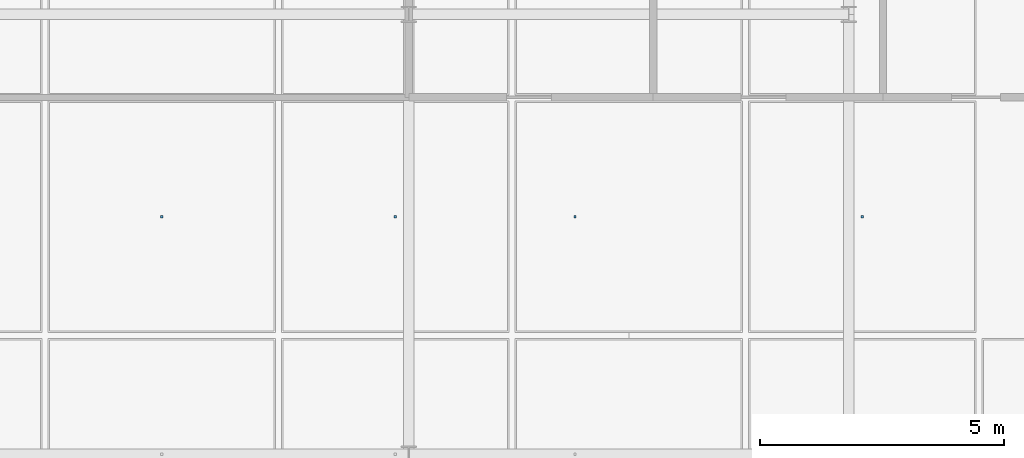
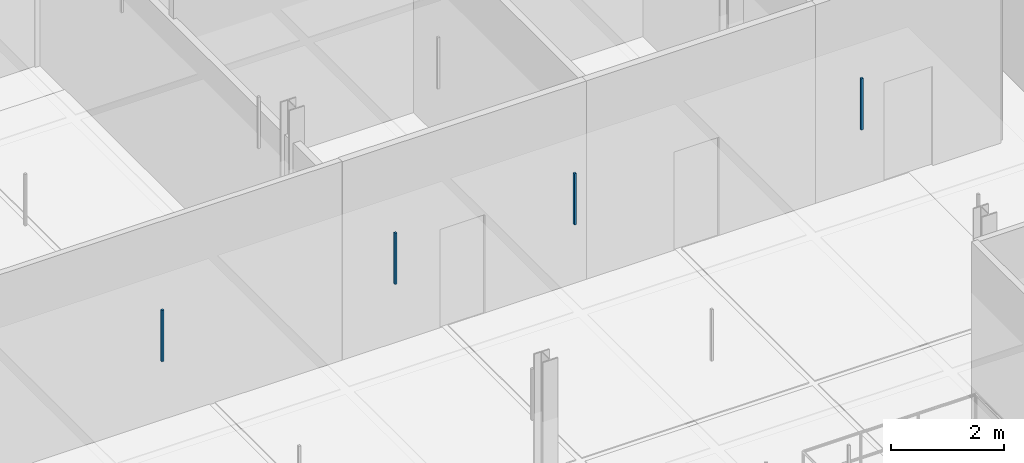
# One storey, part 58 of 89: 4 discrete accessories.
"""IFC4 building model written with IfcOpenShell, lengths in metres."""

from ifc_helpers import new_model, si_unit, direction, frame, origin, origin_2d, place, context, subcontext, project, spatial, rectangle, extrude, material, type_object, element, save


model = new_model("IFC4")

# Units and contexts
model_context = context("Model", 3, precision=1e-05, world=origin(), true_north=direction((0.0, 1.0)))
body_context = subcontext(model_context, "Body", "Model", "MODEL_VIEW")
ifc_project = project(units=[si_unit("LENGTHUNIT", "METRE"), si_unit("AREAUNIT", "SQUARE_METRE"), si_unit("VOLUMEUNIT", "CUBIC_METRE"), si_unit("PLANEANGLEUNIT", "RADIAN"), si_unit("MASSUNIT", "GRAM", prefix="KILO"), si_unit("THERMODYNAMICTEMPERATUREUNIT", "KELVIN"), si_unit("POWERUNIT", "WATT")], contexts=[model_context])

# Site, building, storey
site_placement = place(None, origin())
site = spatial("IfcSite", under=ifc_project, at=site_placement, CompositionType="ELEMENT")
building_placement = place(site_placement, origin())
building = spatial("IfcBuilding", under=site, at=building_placement, Name="Tallowbark Science Centre", CompositionType="ELEMENT")
storey_placement = place(building_placement, frame((0.0, 0.0, 14.39990234375)))
storey = spatial("IfcBuildingStorey", under=building, at=storey_placement, Name="L03", CompositionType="ELEMENT", Elevation=14.39990234375)

# Discrete accessories
ifc_material = material(Name="Galvanised Steel Grade C350L0 (350 MPa)", Category="steel")
discrete_accessory_type = type_object("IfcDiscreteAccessoryType", Name="ACC-CLG-HNG", PredefinedType="BRACKET", material=ifc_material)
for number, where, z_axis, x_axis, name in (
    (1, (71.4443359375, 27.357177734375, 3.20947265625), (0.0, 0.0, 1.0), (1.0, 0.0, 0.0), "Ceiling Hanger Bracket L03-958"),
    (2, (76.22216796875, 27.357177734375, 3.20947265625), (0.0, 0.0, 1.0), (1.0, 0.0, 0.0), "Ceiling Hanger Bracket L03-965"),
    (3, (79.900390625, 27.357177734375, 3.20947265625), (0.0, 0.0, 1.0), (1.0, 0.0, 0.0), "Ceiling Hanger Bracket L03-972"),
    (4, (85.77783203125, 27.357177734375, 3.20947265625), (0.0, 0.0, 1.0), (1.0, 0.0, 0.0), "Ceiling Hanger Bracket L03-979"),
):
    element("IfcDiscreteAccessory", number, at=place(storey_placement, frame(where, z_axis=z_axis, x_axis=x_axis)), inside=storey, type_object=discrete_accessory_type, Name=name, PredefinedType="BRACKET", context=body_context, shape_type="SweptSolid", body=[
        extrude(rectangle(XDim=0.044921875, YDim=0.044921875, at=origin_2d()), origin(), (0.0, 0.0, 1.0), 1.113525390625),
    ])

save(model, "model.ifc")
